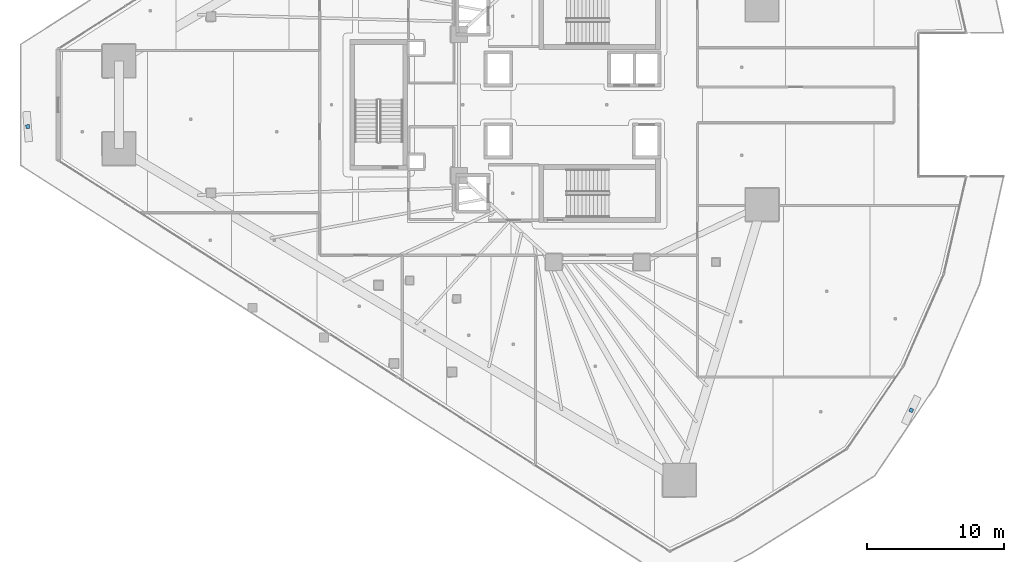
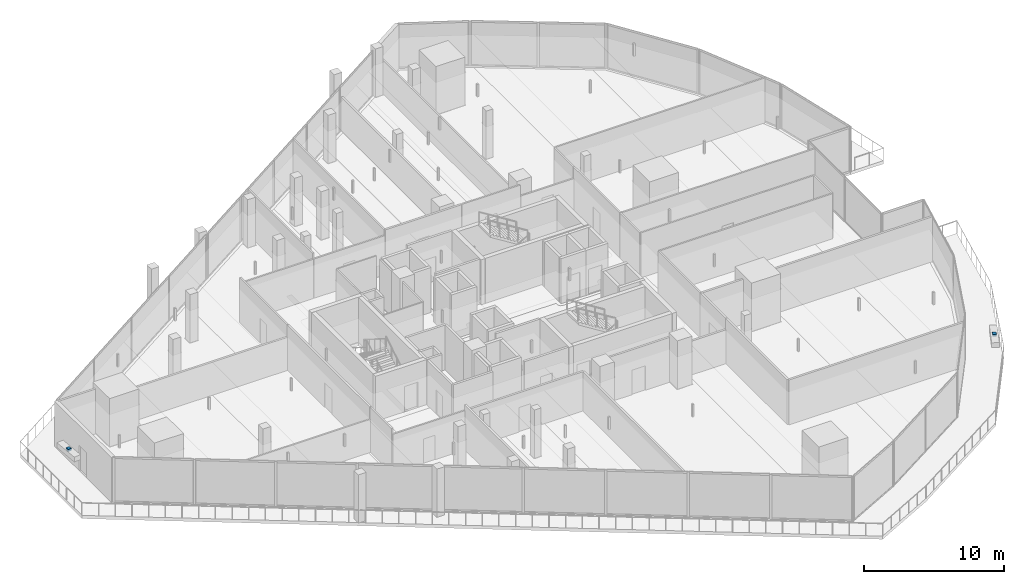
# One storey, part 35 of 44: 2 discrete accessories.
"""IFC4 building model written with IfcOpenShell, lengths in metres."""

import ifcopenshell
import ifcopenshell.guid

model = None  # the IFC model being written
_history = None  # IfcOwnerHistory: only IFC2X3 demands one
_inside = {}  # id of a spatial element -> (the spatial element, [elements in it])
_under = {}  # id of a project, library or spatial element -> (it, [spatial elements below it])
_declared = {}  # id of a project -> (the project, [libraries it declares])
_typed = {}  # id of a type object -> (the type object, [elements of that type])
_made_of = {}  # id of a material, layer set ... -> (it, [elements and type objects made of it])


def new_model(schema):
    """Start an empty IFC model of exactly this schema.

    Asked for "IFC4X3", IfcOpenShell would pick the latest addendum, in which some entities
    have other attributes; the version numbers below select the first issue.
    IFC2X3 requires an IfcOwnerHistory on every rooted entity: one is made here for all.
    """
    global model, _history
    if schema == "IFC4X3":
        model = ifcopenshell.file(schema_version=(4, 3, 0, 0))
    else:
        model = ifcopenshell.file(schema=schema)
    _inside.clear()
    _under.clear()
    _declared.clear()
    _typed.clear()
    _made_of.clear()
    _history = None
    if model.schema == "IFC2X3":
        org = make("IfcOrganization", Name="unknown")
        user = make(
            "IfcPersonAndOrganization",
            ThePerson=make("IfcPerson", FamilyName="unknown"),
            TheOrganization=org,
        )
        app = make(
            "IfcApplication",
            ApplicationDeveloper=org,
            Version="unknown",
            ApplicationFullName="unknown",
            ApplicationIdentifier="unknown",
        )
        _history = make(
            "IfcOwnerHistory",
            OwningUser=user,
            OwningApplication=app,
            ChangeAction="ADDED",
            CreationDate=0,
        )
    return model


def make(cls, **values):
    """One entity of the class cls with the attributes given. An attribute that is None is left unset."""
    return model.create_entity(
        cls, **{name: value for name, value in values.items() if value is not None}
    )


def rooted(cls, **values):
    """An entity with a GlobalId (a new one), such as an element, a storey or a relation."""
    return make(cls, GlobalId=ifcopenshell.guid.new(), OwnerHistory=_history, **values)


def si_unit(unit_type, name, prefix=None):
    """IfcSIUnit, for example si_unit("LENGTHUNIT", "METRE", prefix="MILLI")."""
    return make("IfcSIUnit", UnitType=unit_type, Prefix=prefix, Name=name)


def assignment(units):
    """IfcUnitAssignment: the units of a project."""
    return None if units is None else make("IfcUnitAssignment", Units=units)


def point(xyz):
    """IfcCartesianPoint."""
    return None if xyz is None else make("IfcCartesianPoint", Coordinates=xyz)


def direction(xyz):
    """IfcDirection."""
    return None if xyz is None else make("IfcDirection", DirectionRatios=xyz)


def frame(location, z_axis=None, x_axis=None):
    """IfcAxis2Placement3D, a coordinate frame: its origin and axes. An axis left out is left unset."""
    return make(
        "IfcAxis2Placement3D",
        Location=point(location),
        Axis=direction(z_axis),
        RefDirection=direction(x_axis),
    )


def frame_2d(location, x_axis=None):
    """IfcAxis2Placement2D, a coordinate frame in the plane: its origin and x axis."""
    return make(
        "IfcAxis2Placement2D", Location=point(location), RefDirection=direction(x_axis)
    )


def origin():
    """The frame at (0, 0, 0) with its axes left unset."""
    return frame((0.0, 0.0, 0.0))


def origin_2d():
    """The frame at (0, 0) in the plane with its x axis left unset."""
    return frame_2d((0.0, 0.0))


def place(relative_to, where):
    """IfcLocalPlacement: puts the frame where relative to a parent placement (None: the world)."""
    return make(
        "IfcLocalPlacement", PlacementRelTo=relative_to, RelativePlacement=where
    )


def context(
    kind, dimensions, precision=None, world=None, true_north=None, identifier=None
):
    """IfcGeometricRepresentationContext, for example the 3D "Model" context."""
    return make(
        "IfcGeometricRepresentationContext",
        ContextIdentifier=identifier,
        ContextType=kind,
        CoordinateSpaceDimension=dimensions,
        Precision=precision,
        WorldCoordinateSystem=world,
        TrueNorth=true_north,
    )


def subcontext(parent, identifier, kind, view, scale=None):
    """IfcGeometricRepresentationSubContext, for example "Body" below "Model"."""
    return make(
        "IfcGeometricRepresentationSubContext",
        ContextIdentifier=identifier,
        ContextType=kind,
        ParentContext=parent,
        TargetScale=scale,
        TargetView=view,
    )


def project(units=None, contexts=None):
    """IfcProject with its units and contexts."""
    return rooted(
        "IfcProject",
        Name="project",
        RepresentationContexts=contexts,
        UnitsInContext=assignment(units),
    )


def spatial(cls, under=None, at=None, **own):
    """A site, building, storey or space (cls), placed at a placement, below another one or the project."""
    s = rooted(cls, ObjectPlacement=at, **own)
    if under is not None:
        _under.setdefault(under.id(), (under, []))[1].append(s)
    return s


def profile(cls, at=None, kind="AREA", **sizes):
    """A parametric profile (cls). Its sizes go by their IFC names, for example OverallWidth=200.0."""
    return make(cls, ProfileType=kind, Position=at, **sizes)


def rectangle(**sizes):
    """IfcRectangleProfileDef."""
    return profile("IfcRectangleProfileDef", **sizes)


def extrude(swept, where, along, depth):
    """IfcExtrudedAreaSolid: the profile swept, set in the frame where, extruded along a direction by depth."""
    return make(
        "IfcExtrudedAreaSolid",
        SweptArea=swept,
        Position=where,
        ExtrudedDirection=direction(along),
        Depth=depth,
    )


def shape(context_of_items, identifier, shape_type, items):
    """IfcShapeRepresentation: the items that make up one representation, for example the "Body"."""
    return make(
        "IfcShapeRepresentation",
        ContextOfItems=context_of_items,
        RepresentationIdentifier=identifier,
        RepresentationType=shape_type,
        Items=items,
    )


def material(Name=None, Category=None):
    """IfcMaterial."""
    return make("IfcMaterial", Name=Name, Category=Category)


def made_of(thing, what):
    """Note that an element or type object is made of a material, layer set ...; save() writes the relation."""
    if what is not None:
        _made_of.setdefault(what.id(), (what, []))[1].append(thing)
    return thing


def type_object(cls, material=None, **own):
    """A type object (cls), such as IfcWallType, which elements share."""
    return made_of(rooted(cls, **own), material)


def element(
    cls,
    number,
    at=None,
    inside=None,
    cuts=None,
    type_object=None,
    material=None,
    context=None,
    identifier="Body",
    shape_type=None,
    held_by="IfcProductDefinitionShape",
    body=None,
    shapes=None,
    **own,
):
    """One element of the class cls, such as IfcWall. Its Tag is "e" and its number.

    at: its placement. inside: the storey or other place that contains it. cuts: it is an
    opening in that element (IfcRelVoidsElement). A single representation is given by context,
    identifier, shape_type and body (its items); several are given by shapes. held_by: the class
    of the entity that holds the representations. save() writes the other relations.
    """
    e = rooted(cls, Tag="e%d" % number, ObjectPlacement=at, **own)
    if body is not None:
        shapes = [shape(context, identifier, shape_type, body)]
    if shapes is not None:
        e.Representation = make(held_by, Representations=shapes)
    if inside is not None:
        _inside.setdefault(inside.id(), (inside, []))[1].append(e)
    if cuts is not None:
        rooted(
            "IfcRelVoidsElement", RelatingBuildingElement=cuts, RelatedOpeningElement=e
        )
    if type_object is not None:
        _typed.setdefault(type_object.id(), (type_object, []))[1].append(e)
    return made_of(e, material)


def aggregate(whole, parts):
    """IfcRelAggregates: a whole, such as a stair, and the parts it consists of."""
    return rooted("IfcRelAggregates", RelatingObject=whole, RelatedObjects=parts)


def save(model, path):
    """Write the relations noted so far, then the file.

    IfcRelAggregates (storeys below a building ...), IfcRelContainedInSpatialStructure (elements
    in a storey), IfcRelDefinesByType, IfcRelAssociatesMaterial and IfcRelDeclares: one each for
    every whole, place, type object, material and project.
    """
    for whole, parts in _under.values():
        aggregate(whole, parts)
    for where, things in _inside.values():
        rooted(
            "IfcRelContainedInSpatialStructure",
            RelatedElements=things,
            RelatingStructure=where,
        )
    for kind, things in _typed.values():
        rooted("IfcRelDefinesByType", RelatedObjects=things, RelatingType=kind)
    for what, things in _made_of.values():
        rooted("IfcRelAssociatesMaterial", RelatedObjects=things, RelatingMaterial=what)
    for by, libraries in _declared.values():
        rooted("IfcRelDeclares", RelatingContext=by, RelatedDefinitions=libraries)
    model.write(path)


model = new_model("IFC4")

# Units and contexts
model_context = context("Model", 3, precision=1e-05, world=origin(), true_north=direction((0.0, 1.0)))
body_context = subcontext(model_context, "Body", "Model", "MODEL_VIEW")
ifc_project = project(units=[si_unit("LENGTHUNIT", "METRE"), si_unit("AREAUNIT", "SQUARE_METRE"), si_unit("VOLUMEUNIT", "CUBIC_METRE"), si_unit("PLANEANGLEUNIT", "RADIAN"), si_unit("MASSUNIT", "GRAM", prefix="KILO")], contexts=[model_context])

# Site, building, storey
site_placement = place(None, origin())
site = spatial("IfcSite", under=ifc_project, at=site_placement, CompositionType="ELEMENT")
building_placement = place(site_placement, origin())
building = spatial("IfcBuilding", under=site, at=building_placement, Name="Qorvath Tower", CompositionType="ELEMENT")
storey_placement = place(building_placement, frame((0.0, 0.0, 70.199951171875)))
storey = spatial("IfcBuildingStorey", under=building, at=storey_placement, Name="L15", CompositionType="ELEMENT", Elevation=70.199951171875)

# Discrete accessories
ifc_material = material(Name="Galvanised steel bracket", Category="steel")
discrete_accessory_type = type_object("IfcDiscreteAccessoryType", Name="DA-BRACKET", PredefinedType="BRACKET", material=ifc_material)
for number, where, z_axis, x_axis, name in (
    (1, (-61.924560546875, -1.584228515625, 3.7802734375), (0.0, 0.0, 1.0), (0.079249007853, -0.996854851397, 0.0), "Louvre Wave Support Bracket L15-01"),
    (2, (2.427001953125, -22.24462890625, 3.7802734375), (0.0, 0.0, 1.0), (0.430503220249, 0.902589041234, 0.0), "Louvre Wave Support Bracket L15-02"),
):
    element("IfcDiscreteAccessory", number, at=place(storey_placement, frame(where, z_axis=z_axis, x_axis=x_axis)), inside=storey, type_object=discrete_accessory_type, Name=name, PredefinedType="NOTDEFINED", context=body_context, shape_type="SweptSolid", body=[
        extrude(rectangle(XDim=0.280029296875, YDim=0.280029296875, at=origin_2d()), origin(), (0.0, 0.0, 1.0), 0.199951171875),
    ])

save(model, "model.ifc")
